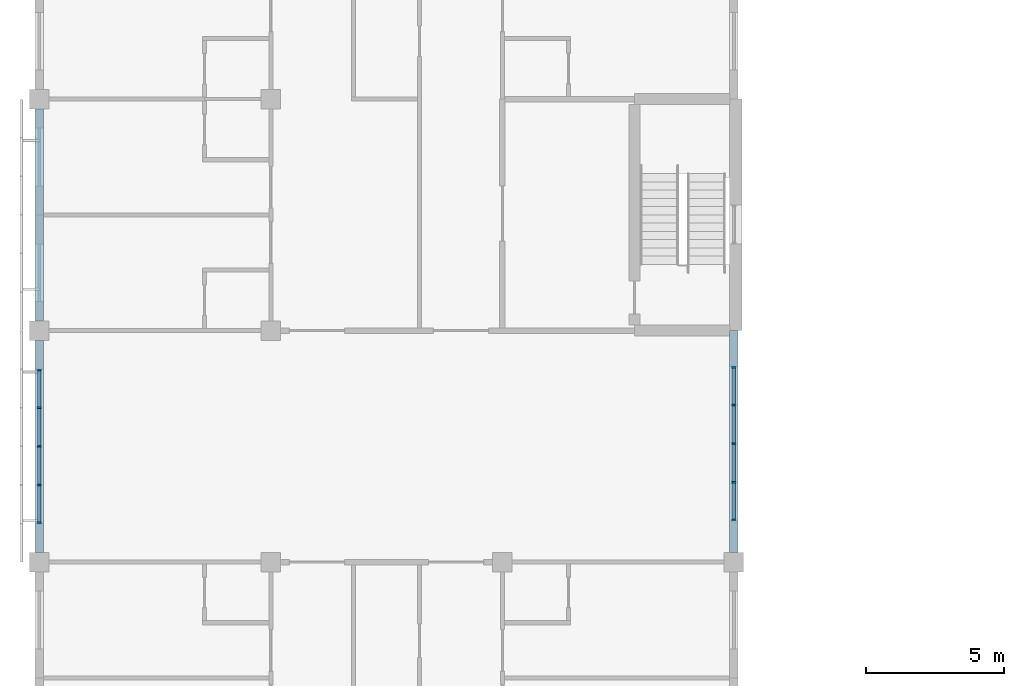
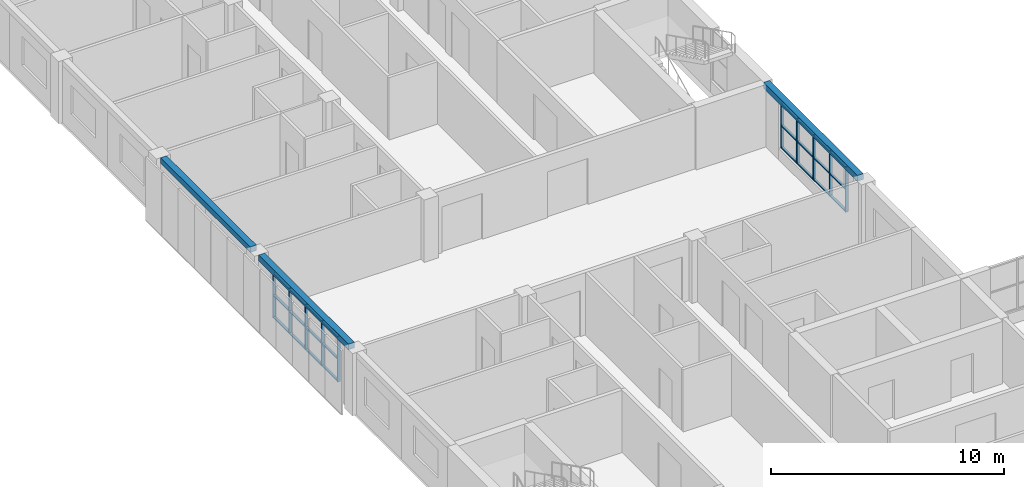
# One storey, part 5 of 45: 34 members, 3 beams, 2 elements without a shape of their own.
"""IFC4 building model written with IfcOpenShell, lengths in metres."""

from ifc_helpers import new_model, si_unit, direction, frame, origin, origin_2d, place, context, subcontext, project, spatial, rectangle, extrude, material, material_profile, profile_set, type_object, element, aggregate, save


model = new_model("IFC4")

# Units and contexts
model_context = context("Model", 3, precision=1e-05, world=origin(), true_north=direction((0.0, 1.0)))
body_context = subcontext(model_context, "Body", "Model", "MODEL_VIEW")
ifc_project = project(units=[si_unit("LENGTHUNIT", "METRE"), si_unit("AREAUNIT", "SQUARE_METRE"), si_unit("VOLUMEUNIT", "CUBIC_METRE"), si_unit("PLANEANGLEUNIT", "RADIAN"), si_unit("MASSUNIT", "GRAM", prefix="KILO")], contexts=[model_context])

# Site, building, storey
site_placement = place(None, origin())
site = spatial("IfcSite", under=ifc_project, at=site_placement, CompositionType="ELEMENT")
building_placement = place(site_placement, origin())
building = spatial("IfcBuilding", under=site, at=building_placement, Name="Yavir Park General Hospital", CompositionType="ELEMENT")
storey_placement = place(building_placement, frame((0.0, 0.0, 22.5)))
storey = spatial("IfcBuildingStorey", under=building, at=storey_placement, Name="L05", CompositionType="ELEMENT", Elevation=22.5)

# Curtain wall, members
ifc_material_1 = material(Name="Aluminium curtain wall frame with insulated glazing", Category="aluminium")
curtain_wall_type = type_object("IfcCurtainWallType", Name="Day room pocket glazing, ward floors, 2360 high, 1400 module", PredefinedType="NOTDEFINED", material=ifc_material_1)
curtain_wall_1_placement = place(storey_placement, origin())
curtain_wall_1 = element("IfcCurtainWall", 1, at=curtain_wall_1_placement, inside=storey, type_object=curtain_wall_type, Name="CW6 L05-018", PredefinedType="NOTDEFINED")
ifc_material_2 = material(Name="Aluminium", Category="aluminium")
ifc_material_profile_1 = material_profile(ifc_material_2, rectangle(XDim=0.139892578125, YDim=0.06005859375, at=origin_2d()), Name="AL 60x140")
ifc_profile_set_1 = profile_set([ifc_material_profile_1], Name="Aluminium")
member_type_1 = type_object("IfcMemberType", Name="Day room pocket glazing, ward floors, 2360 high mullion 60 x 140", PredefinedType="MULLION", material=ifc_profile_set_1)
member_1_placement = place(storey_placement, frame((0.0, 35.030029296875, 0.60009765625), z_axis=(0.0, 0.0, 1.0), x_axis=(-1.0, 0.0, 0.0)))
member_1 = element("IfcMember", 2, at=member_1_placement, type_object=member_type_1, Name="CW6 mullion 1", PredefinedType="MULLION", context=body_context, shape_type="SweptSolid", body=[
    extrude(rectangle(XDim=0.139892578125, YDim=0.06005859375, at=origin_2d()), origin(), (0.0, 0.0, 1.0), 2.35986328125),
])
member_2_placement = place(storey_placement, frame((0.0, 36.39990234375, 0.60009765625), z_axis=(0.0, 0.0, 1.0), x_axis=(-1.0, 0.0, 0.0)))
member_2 = element("IfcMember", 3, at=member_2_placement, type_object=member_type_1, Name="CW6 mullion 2", PredefinedType="MULLION", context=body_context, shape_type="SweptSolid", body=[
    extrude(rectangle(XDim=0.139892578125, YDim=0.06005859375, at=origin_2d()), origin(), (0.0, 0.0, 1.0), 2.35986328125),
])
member_3_placement = place(storey_placement, frame((0.0, 37.800048828125, 0.60009765625), z_axis=(0.0, 0.0, 1.0), x_axis=(-1.0, 0.0, 0.0)))
member_3 = element("IfcMember", 4, at=member_3_placement, type_object=member_type_1, Name="CW6 mullion 3", PredefinedType="MULLION", context=body_context, shape_type="SweptSolid", body=[
    extrude(rectangle(XDim=0.139892578125, YDim=0.06005859375, at=origin_2d()), origin(), (0.0, 0.0, 1.0), 2.35986328125),
])
member_4_placement = place(storey_placement, frame((0.0, 39.199951171875, 0.60009765625), z_axis=(0.0, 0.0, 1.0), x_axis=(-1.0, 0.0, 0.0)))
member_4 = element("IfcMember", 5, at=member_4_placement, type_object=member_type_1, Name="CW6 mullion 4", PredefinedType="MULLION", context=body_context, shape_type="SweptSolid", body=[
    extrude(rectangle(XDim=0.139892578125, YDim=0.06005859375, at=origin_2d()), origin(), (0.0, 0.0, 1.0), 2.35986328125),
])
member_5_placement = place(storey_placement, frame((0.0, 40.570068359375, 0.60009765625), z_axis=(0.0, 0.0, 1.0), x_axis=(-1.0, 0.0, 0.0)))
member_5 = element("IfcMember", 6, at=member_5_placement, type_object=member_type_1, Name="CW6 mullion 5", PredefinedType="MULLION", context=body_context, shape_type="SweptSolid", body=[
    extrude(rectangle(XDim=0.139892578125, YDim=0.06005859375, at=origin_2d()), origin(), (0.0, 0.0, 1.0), 2.35986328125),
])

curtain_wall_2_placement = place(storey_placement, origin())
curtain_wall_2 = element("IfcCurtainWall", 7, at=curtain_wall_2_placement, inside=storey, type_object=curtain_wall_type, Name="CW6 L05-020", PredefinedType="NOTDEFINED")
member_6_placement = place(storey_placement, frame((25.199951171875, 35.1298828125, 0.60009765625), z_axis=(0.0, 0.0, 1.0), x_axis=(-1.0, 0.0, 0.0)))
member_6 = element("IfcMember", 8, at=member_6_placement, type_object=member_type_1, Name="CW6 mullion 1", PredefinedType="MULLION", context=body_context, shape_type="SweptSolid", body=[
    extrude(rectangle(XDim=0.139892578125, YDim=0.06005859375, at=origin_2d()), origin(), (0.0, 0.0, 1.0), 2.35986328125),
])
member_7_placement = place(storey_placement, frame((25.199951171875, 36.5, 0.60009765625), z_axis=(0.0, 0.0, 1.0), x_axis=(-1.0, 0.0, 0.0)))
member_7 = element("IfcMember", 9, at=member_7_placement, type_object=member_type_1, Name="CW6 mullion 2", PredefinedType="MULLION", context=body_context, shape_type="SweptSolid", body=[
    extrude(rectangle(XDim=0.139892578125, YDim=0.06005859375, at=origin_2d()), origin(), (0.0, 0.0, 1.0), 2.35986328125),
])
member_8_placement = place(storey_placement, frame((25.199951171875, 37.89990234375, 0.60009765625), z_axis=(0.0, 0.0, 1.0), x_axis=(-1.0, 0.0, 0.0)))
member_8 = element("IfcMember", 10, at=member_8_placement, type_object=member_type_1, Name="CW6 mullion 3", PredefinedType="MULLION", context=body_context, shape_type="SweptSolid", body=[
    extrude(rectangle(XDim=0.139892578125, YDim=0.06005859375, at=origin_2d()), origin(), (0.0, 0.0, 1.0), 2.35986328125),
])
member_9_placement = place(storey_placement, frame((25.199951171875, 39.300048828125, 0.60009765625), z_axis=(0.0, 0.0, 1.0), x_axis=(-1.0, 0.0, 0.0)))
member_9 = element("IfcMember", 11, at=member_9_placement, type_object=member_type_1, Name="CW6 mullion 4", PredefinedType="MULLION", context=body_context, shape_type="SweptSolid", body=[
    extrude(rectangle(XDim=0.139892578125, YDim=0.06005859375, at=origin_2d()), origin(), (0.0, 0.0, 1.0), 2.35986328125),
])
member_10_placement = place(storey_placement, frame((25.199951171875, 40.669921875, 0.60009765625), z_axis=(0.0, 0.0, 1.0), x_axis=(-1.0, 0.0, 0.0)))
member_10 = element("IfcMember", 12, at=member_10_placement, type_object=member_type_1, Name="CW6 mullion 5", PredefinedType="MULLION", context=body_context, shape_type="SweptSolid", body=[
    extrude(rectangle(XDim=0.139892578125, YDim=0.06005859375, at=origin_2d()), origin(), (0.0, 0.0, 1.0), 2.35986328125),
])

# Member
ifc_material_3 = material(Name="Aluminium", Category="aluminium")
ifc_material_profile_2 = material_profile(ifc_material_3, rectangle(XDim=0.1201171875, YDim=0.06005859375, at=origin_2d()), Name="AL 120x60")
ifc_profile_set_2 = profile_set([ifc_material_profile_2], Name="Aluminium")
member_type_2 = type_object("IfcMemberType", Name="Day room pocket glazing, ward floors, 2360 high transom 60 x 120", PredefinedType="MULLION", material=ifc_profile_set_2)
member_11_placement = place(storey_placement, frame((0.0, 35.06005859375, 0.6298828125), z_axis=(0.0, 1.0, 0.0), x_axis=(-1.0, 0.0, 0.0)))
member_11 = element("IfcMember", 13, at=member_11_placement, type_object=member_type_2, Name="CW6 transom 1.1", PredefinedType="MULLION", context=body_context, shape_type="SweptSolid", body=[
    extrude(rectangle(XDim=0.1201171875, YDim=0.06005859375, at=origin_2d()), origin(), (0.0, 0.0, 1.0), 1.31005859375),
])

member_12_placement = place(storey_placement, frame((0.0, 35.06005859375, 1.780029296875), z_axis=(0.0, 1.0, 0.0), x_axis=(-1.0, 0.0, 0.0)))
member_12 = element("IfcMember", 14, at=member_12_placement, type_object=member_type_2, Name="CW6 transom 1.2", PredefinedType="MULLION", context=body_context, shape_type="SweptSolid", body=[
    extrude(rectangle(XDim=0.1201171875, YDim=0.06005859375, at=origin_2d()), origin(), (0.0, 0.0, 1.0), 1.31005859375),
])

member_13_placement = place(storey_placement, frame((0.0, 35.06005859375, 2.929931640625), z_axis=(0.0, 1.0, 0.0), x_axis=(-1.0, 0.0, 0.0)))
member_13 = element("IfcMember", 15, at=member_13_placement, type_object=member_type_2, Name="CW6 transom 1.3", PredefinedType="MULLION", context=body_context, shape_type="SweptSolid", body=[
    extrude(rectangle(XDim=0.1201171875, YDim=0.06005859375, at=origin_2d()), origin(), (0.0, 0.0, 1.0), 1.31005859375),
])

member_14_placement = place(storey_placement, frame((0.0, 36.429931640625, 0.6298828125), z_axis=(0.0, 1.0, 0.0), x_axis=(-1.0, 0.0, 0.0)))
member_14 = element("IfcMember", 16, at=member_14_placement, type_object=member_type_2, Name="CW6 transom 2.1", PredefinedType="MULLION", context=body_context, shape_type="SweptSolid", body=[
    extrude(rectangle(XDim=0.1201171875, YDim=0.06005859375, at=origin_2d()), origin(), (0.0, 0.0, 1.0), 1.340087890625),
])

member_15_placement = place(storey_placement, frame((0.0, 36.429931640625, 1.780029296875), z_axis=(0.0, 1.0, 0.0), x_axis=(-1.0, 0.0, 0.0)))
member_15 = element("IfcMember", 17, at=member_15_placement, type_object=member_type_2, Name="CW6 transom 2.2", PredefinedType="MULLION", context=body_context, shape_type="SweptSolid", body=[
    extrude(rectangle(XDim=0.1201171875, YDim=0.06005859375, at=origin_2d()), origin(), (0.0, 0.0, 1.0), 1.340087890625),
])

member_16_placement = place(storey_placement, frame((0.0, 36.429931640625, 2.929931640625), z_axis=(0.0, 1.0, 0.0), x_axis=(-1.0, 0.0, 0.0)))
member_16 = element("IfcMember", 18, at=member_16_placement, type_object=member_type_2, Name="CW6 transom 2.3", PredefinedType="MULLION", context=body_context, shape_type="SweptSolid", body=[
    extrude(rectangle(XDim=0.1201171875, YDim=0.06005859375, at=origin_2d()), origin(), (0.0, 0.0, 1.0), 1.340087890625),
])

member_17_placement = place(storey_placement, frame((0.0, 37.830078125, 0.6298828125), z_axis=(0.0, 1.0, 0.0), x_axis=(-1.0, 0.0, 0.0)))
member_17 = element("IfcMember", 19, at=member_17_placement, type_object=member_type_2, Name="CW6 transom 3.1", PredefinedType="MULLION", context=body_context, shape_type="SweptSolid", body=[
    extrude(rectangle(XDim=0.1201171875, YDim=0.06005859375, at=origin_2d()), origin(), (0.0, 0.0, 1.0), 1.33984375),
])

member_18_placement = place(storey_placement, frame((0.0, 37.830078125, 1.780029296875), z_axis=(0.0, 1.0, 0.0), x_axis=(-1.0, 0.0, 0.0)))
member_18 = element("IfcMember", 20, at=member_18_placement, type_object=member_type_2, Name="CW6 transom 3.2", PredefinedType="MULLION", context=body_context, shape_type="SweptSolid", body=[
    extrude(rectangle(XDim=0.1201171875, YDim=0.06005859375, at=origin_2d()), origin(), (0.0, 0.0, 1.0), 1.33984375),
])

member_19_placement = place(storey_placement, frame((0.0, 37.830078125, 2.929931640625), z_axis=(0.0, 1.0, 0.0), x_axis=(-1.0, 0.0, 0.0)))
member_19 = element("IfcMember", 21, at=member_19_placement, type_object=member_type_2, Name="CW6 transom 3.3", PredefinedType="MULLION", context=body_context, shape_type="SweptSolid", body=[
    extrude(rectangle(XDim=0.1201171875, YDim=0.06005859375, at=origin_2d()), origin(), (0.0, 0.0, 1.0), 1.33984375),
])

member_20_placement = place(storey_placement, frame((0.0, 39.22998046875, 0.6298828125), z_axis=(0.0, 1.0, 0.0), x_axis=(-1.0, 0.0, 0.0)))
member_20 = element("IfcMember", 22, at=member_20_placement, type_object=member_type_2, Name="CW6 transom 4.1", PredefinedType="MULLION", context=body_context, shape_type="SweptSolid", body=[
    extrude(rectangle(XDim=0.1201171875, YDim=0.06005859375, at=origin_2d()), origin(), (0.0, 0.0, 1.0), 1.31005859375),
])

member_21_placement = place(storey_placement, frame((0.0, 39.22998046875, 1.780029296875), z_axis=(0.0, 1.0, 0.0), x_axis=(-1.0, 0.0, 0.0)))
member_21 = element("IfcMember", 23, at=member_21_placement, type_object=member_type_2, Name="CW6 transom 4.2", PredefinedType="MULLION", context=body_context, shape_type="SweptSolid", body=[
    extrude(rectangle(XDim=0.1201171875, YDim=0.06005859375, at=origin_2d()), origin(), (0.0, 0.0, 1.0), 1.31005859375),
])

member_22_placement = place(storey_placement, frame((0.0, 39.22998046875, 2.929931640625), z_axis=(0.0, 1.0, 0.0), x_axis=(-1.0, 0.0, 0.0)))
member_22 = element("IfcMember", 24, at=member_22_placement, type_object=member_type_2, Name="CW6 transom 4.3", PredefinedType="MULLION", context=body_context, shape_type="SweptSolid", body=[
    extrude(rectangle(XDim=0.1201171875, YDim=0.06005859375, at=origin_2d()), origin(), (0.0, 0.0, 1.0), 1.31005859375),
])

aggregate(curtain_wall_1, [member_1, member_2, member_3, member_4, member_5, member_11, member_12, member_13, member_14, member_15, member_16, member_17, member_18, member_19, member_20, member_21, member_22])

member_23_placement = place(storey_placement, frame((25.199951171875, 35.159912109375, 0.6298828125), z_axis=(0.0, 1.0, 0.0), x_axis=(-1.0, 0.0, 0.0)))
member_23 = element("IfcMember", 25, at=member_23_placement, type_object=member_type_2, Name="CW6 transom 1.1", PredefinedType="MULLION", context=body_context, shape_type="SweptSolid", body=[
    extrude(rectangle(XDim=0.1201171875, YDim=0.06005859375, at=origin_2d()), origin(), (0.0, 0.0, 1.0), 1.31005859375),
])

member_24_placement = place(storey_placement, frame((25.199951171875, 35.159912109375, 1.780029296875), z_axis=(0.0, 1.0, 0.0), x_axis=(-1.0, 0.0, 0.0)))
member_24 = element("IfcMember", 26, at=member_24_placement, type_object=member_type_2, Name="CW6 transom 1.2", PredefinedType="MULLION", context=body_context, shape_type="SweptSolid", body=[
    extrude(rectangle(XDim=0.1201171875, YDim=0.06005859375, at=origin_2d()), origin(), (0.0, 0.0, 1.0), 1.31005859375),
])

member_25_placement = place(storey_placement, frame((25.199951171875, 35.159912109375, 2.929931640625), z_axis=(0.0, 1.0, 0.0), x_axis=(-1.0, 0.0, 0.0)))
member_25 = element("IfcMember", 27, at=member_25_placement, type_object=member_type_2, Name="CW6 transom 1.3", PredefinedType="MULLION", context=body_context, shape_type="SweptSolid", body=[
    extrude(rectangle(XDim=0.1201171875, YDim=0.06005859375, at=origin_2d()), origin(), (0.0, 0.0, 1.0), 1.31005859375),
])

member_26_placement = place(storey_placement, frame((25.199951171875, 36.530029296875, 0.6298828125), z_axis=(0.0, 1.0, 0.0), x_axis=(-1.0, 0.0, 0.0)))
member_26 = element("IfcMember", 28, at=member_26_placement, type_object=member_type_2, Name="CW6 transom 2.1", PredefinedType="MULLION", context=body_context, shape_type="SweptSolid", body=[
    extrude(rectangle(XDim=0.1201171875, YDim=0.06005859375, at=origin_2d()), origin(), (0.0, 0.0, 1.0), 1.340087890625),
])

member_27_placement = place(storey_placement, frame((25.199951171875, 36.530029296875, 1.780029296875), z_axis=(0.0, 1.0, 0.0), x_axis=(-1.0, 0.0, 0.0)))
member_27 = element("IfcMember", 29, at=member_27_placement, type_object=member_type_2, Name="CW6 transom 2.2", PredefinedType="MULLION", context=body_context, shape_type="SweptSolid", body=[
    extrude(rectangle(XDim=0.1201171875, YDim=0.06005859375, at=origin_2d()), origin(), (0.0, 0.0, 1.0), 1.340087890625),
])

member_28_placement = place(storey_placement, frame((25.199951171875, 36.530029296875, 2.929931640625), z_axis=(0.0, 1.0, 0.0), x_axis=(-1.0, 0.0, 0.0)))
member_28 = element("IfcMember", 30, at=member_28_placement, type_object=member_type_2, Name="CW6 transom 2.3", PredefinedType="MULLION", context=body_context, shape_type="SweptSolid", body=[
    extrude(rectangle(XDim=0.1201171875, YDim=0.06005859375, at=origin_2d()), origin(), (0.0, 0.0, 1.0), 1.340087890625),
])

member_29_placement = place(storey_placement, frame((25.199951171875, 37.929931640625, 0.6298828125), z_axis=(0.0, 1.0, 0.0), x_axis=(-1.0, 0.0, 0.0)))
member_29 = element("IfcMember", 31, at=member_29_placement, type_object=member_type_2, Name="CW6 transom 3.1", PredefinedType="MULLION", context=body_context, shape_type="SweptSolid", body=[
    extrude(rectangle(XDim=0.1201171875, YDim=0.06005859375, at=origin_2d()), origin(), (0.0, 0.0, 1.0), 1.340087890625),
])

member_30_placement = place(storey_placement, frame((25.199951171875, 37.929931640625, 1.780029296875), z_axis=(0.0, 1.0, 0.0), x_axis=(-1.0, 0.0, 0.0)))
member_30 = element("IfcMember", 32, at=member_30_placement, type_object=member_type_2, Name="CW6 transom 3.2", PredefinedType="MULLION", context=body_context, shape_type="SweptSolid", body=[
    extrude(rectangle(XDim=0.1201171875, YDim=0.06005859375, at=origin_2d()), origin(), (0.0, 0.0, 1.0), 1.340087890625),
])

member_31_placement = place(storey_placement, frame((25.199951171875, 37.929931640625, 2.929931640625), z_axis=(0.0, 1.0, 0.0), x_axis=(-1.0, 0.0, 0.0)))
member_31 = element("IfcMember", 33, at=member_31_placement, type_object=member_type_2, Name="CW6 transom 3.3", PredefinedType="MULLION", context=body_context, shape_type="SweptSolid", body=[
    extrude(rectangle(XDim=0.1201171875, YDim=0.06005859375, at=origin_2d()), origin(), (0.0, 0.0, 1.0), 1.340087890625),
])

member_32_placement = place(storey_placement, frame((25.199951171875, 39.330078125, 0.6298828125), z_axis=(0.0, 1.0, 0.0), x_axis=(-1.0, 0.0, 0.0)))
member_32 = element("IfcMember", 34, at=member_32_placement, type_object=member_type_2, Name="CW6 transom 4.1", PredefinedType="MULLION", context=body_context, shape_type="SweptSolid", body=[
    extrude(rectangle(XDim=0.1201171875, YDim=0.06005859375, at=origin_2d()), origin(), (0.0, 0.0, 1.0), 1.309814453125),
])

member_33_placement = place(storey_placement, frame((25.199951171875, 39.330078125, 1.780029296875), z_axis=(0.0, 1.0, 0.0), x_axis=(-1.0, 0.0, 0.0)))
member_33 = element("IfcMember", 35, at=member_33_placement, type_object=member_type_2, Name="CW6 transom 4.2", PredefinedType="MULLION", context=body_context, shape_type="SweptSolid", body=[
    extrude(rectangle(XDim=0.1201171875, YDim=0.06005859375, at=origin_2d()), origin(), (0.0, 0.0, 1.0), 1.309814453125),
])

member_34_placement = place(storey_placement, frame((25.199951171875, 39.330078125, 2.929931640625), z_axis=(0.0, 1.0, 0.0), x_axis=(-1.0, 0.0, 0.0)))
member_34 = element("IfcMember", 36, at=member_34_placement, type_object=member_type_2, Name="CW6 transom 4.3", PredefinedType="MULLION", context=body_context, shape_type="SweptSolid", body=[
    extrude(rectangle(XDim=0.1201171875, YDim=0.06005859375, at=origin_2d()), origin(), (0.0, 0.0, 1.0), 1.309814453125),
])

aggregate(curtain_wall_2, [member_6, member_7, member_8, member_9, member_10, member_23, member_24, member_25, member_26, member_27, member_28, member_29, member_30, member_31, member_32, member_33, member_34])

# Beams
ifc_material_4 = material(Name="Concrete C35/45", Category="concrete")
ifc_material_profile_3 = material_profile(ifc_material_4, rectangle(XDim=0.300048828125, YDim=0.300048828125, at=origin_2d()), Name="RC300x300")
ifc_profile_set_3 = profile_set([ifc_material_profile_3], Name="Concrete C35/45")
beam_type = type_object("IfcBeamType", Name="RC BEAM 300x300 edge beam", PredefinedType="BEAM", material=ifc_profile_set_3)
for number, where, z_axis, x_axis, name in (
    (37, (0.0, 33.949951171875, 3.110107421875), (0.0, 1.0, 0.0), (-1.0, 0.0, 0.0), "B:EDGE:L05:019"),
    (38, (0.0, 42.35009765625, 3.110107421875), (0.0, 1.0, 0.0), (-1.0, 0.0, 0.0), "B:EDGE:L05:020"),
):
    element("IfcBeam", number, at=place(storey_placement, frame(where, z_axis=z_axis, x_axis=x_axis)), inside=storey, type_object=beam_type, Name=name, PredefinedType="BEAM", context=body_context, shape_type="SweptSolid", body=[
        extrude(rectangle(XDim=0.300048828125, YDim=0.300048828125, at=origin_2d()), origin(), (0.0, 0.0, 1.0), 7.699951171875),
    ])
beam_placement = place(storey_placement, frame((25.199951171875, 33.949951171875, 3.110107421875), z_axis=(0.0, 1.0, 0.0), x_axis=(-1.0, 0.0, 0.0)))
element("IfcBeam", 39, at=beam_placement, inside=storey, type_object=beam_type, Name="B:EDGE:L05:028", PredefinedType="BEAM", context=body_context, shape_type="SweptSolid", body=[
    extrude(rectangle(XDim=0.300048828125, YDim=0.300048828125, at=origin_2d()), origin(), (0.0, 0.0, 1.0), 8.050048828125),
])

save(model, "model.ifc")
